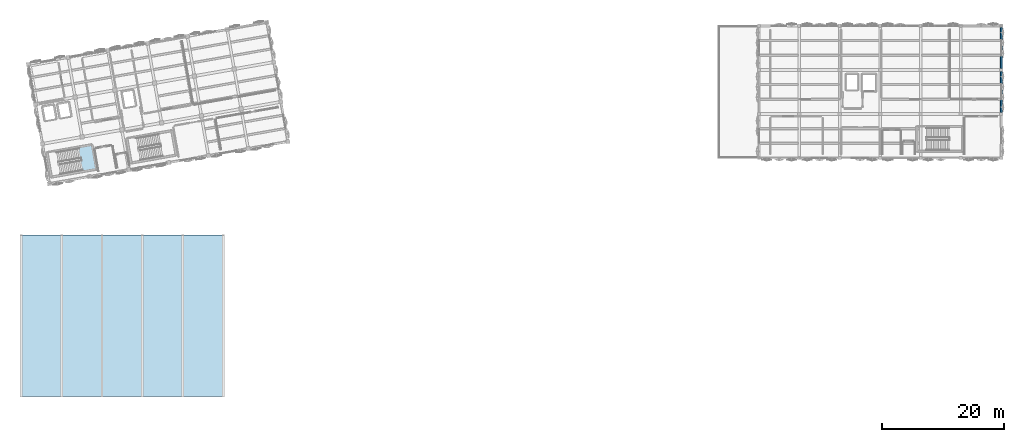
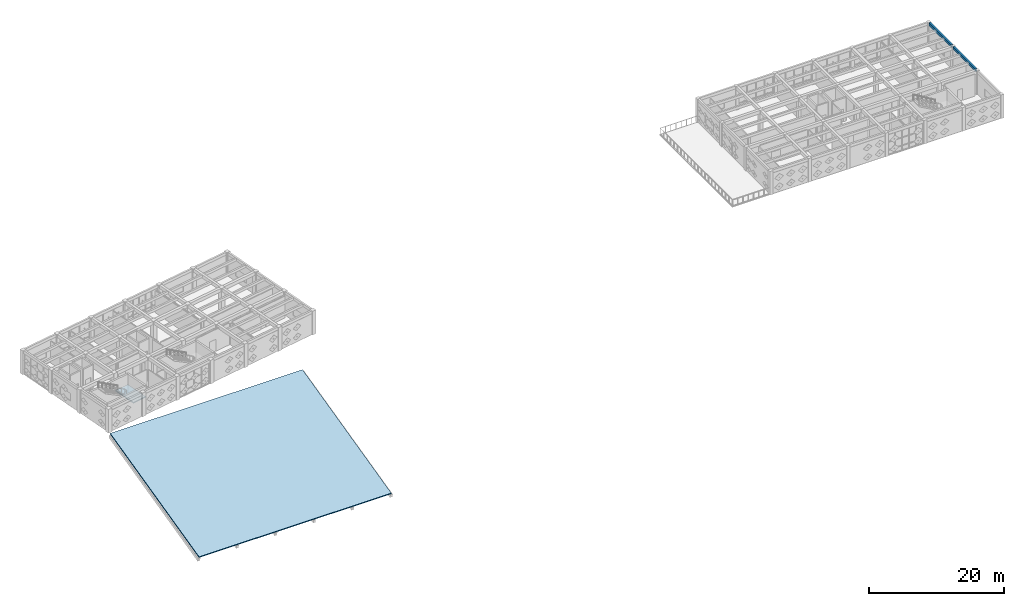
# One storey, part 22 of 39: 2 beams, 2 slabs, 1 element without a shape of its own.
"""IFC4 building model written with IfcOpenShell, lengths in metres."""

from ifc_helpers import new_model, si_unit, direction, frame, origin, origin_2d, place, context, subcontext, project, spatial, polyline, rectangle, outline, extrude, material, layer, layer_set, material_profile, profile_set, type_object, element, aggregate, save


model = new_model("IFC4")

# Units and contexts
model_context = context("Model", 3, precision=1e-05, world=origin(), true_north=direction((0.0, 1.0)))
body_context = subcontext(model_context, "Body", "Model", "MODEL_VIEW")
ifc_project = project(units=[si_unit("LENGTHUNIT", "METRE"), si_unit("AREAUNIT", "SQUARE_METRE"), si_unit("VOLUMEUNIT", "CUBIC_METRE"), si_unit("PLANEANGLEUNIT", "RADIAN"), si_unit("MASSUNIT", "GRAM", prefix="KILO")], contexts=[model_context])

# Site, building, storey
site_placement = place(None, origin())
site = spatial("IfcSite", under=ifc_project, at=site_placement, CompositionType="ELEMENT")
building_placement = place(site_placement, origin())
building = spatial("IfcBuilding", under=site, at=building_placement, Name="Kharisveld Research Institute", CompositionType="ELEMENT")
storey_placement = place(building_placement, frame((0.0, 0.0, 23.10009765625)))
storey = spatial("IfcBuildingStorey", under=building, at=storey_placement, Name="L05", CompositionType="ELEMENT", Elevation=23.10009765625)

# Beams
ifc_material_1 = material(Name="Concrete C40/50", Category="concrete")
ifc_material_profile = material_profile(ifc_material_1, rectangle(XDim=0.300048828125, YDim=0.5, at=origin_2d()))
ifc_profile_set = profile_set([ifc_material_profile], Name="Concrete C40/50")
beam_type = type_object("IfcBeamType", Name="SP_RC_300x500", PredefinedType="SPANDREL", material=ifc_profile_set)
for number, where, z_axis, x_axis, name in (
    (1, (160.800048828125, 46.675048828125, 4.039794921875), (0.0, 1.0, 0.0), (-1.0, 0.0, 0.0), "BM:V2:L05:V7_1"),
    (2, (160.800048828125, 53.875, 4.039794921875), (0.0, 1.0, 0.0), (-1.0, 0.0, 0.0), "BM:V2:L05:V7_2"),
):
    element("IfcBeam", number, at=place(storey_placement, frame(where, z_axis=z_axis, x_axis=x_axis)), inside=storey, type_object=beam_type, Name=name, PredefinedType="SPANDREL", context=body_context, shape_type="SweptSolid", body=[
        extrude(rectangle(XDim=0.300048828125, YDim=0.5, at=origin_2d()), origin(), (0.0, 0.0, 1.0), 6.64990234375),
    ])

# Stair, slab
ifc_material_2 = material(Name="Concrete C40/50", Category="concrete")
stair_type = type_object("IfcStairType", Name="ST_EXIT_170", PredefinedType="TWO_STRAIGHT_RUN_STAIR", material=ifc_material_2)
stair_placement = place(storey_placement, origin())
stair = element("IfcStair", 3, at=stair_placement, inside=storey, type_object=stair_type, Name="STR:ST1:L05", PredefinedType="TWO_STRAIGHT_RUN_STAIR")
ifc_material_3 = material(Name="Concrete C40/50", Category="concrete")
ifc_layer_1 = layer(ifc_material_3, 0.179931640625)
ifc_layer_set_1 = layer_set([ifc_layer_1], Name="SL_LND_180")
slab_type_1 = type_object("IfcSlabType", Name="SL_LND_180", PredefinedType="LANDING", material=ifc_layer_set_1)
slab_1_placement = place(storey_placement, frame((0.0, 0.0, 2.06982421875)))
slab_1 = element("IfcSlab", 4, at=slab_1_placement, type_object=slab_type_1, Name="ST-01 landing 1", PredefinedType="LANDING", context=body_context, shape_type="SweptSolid", body=[
    extrude(outline(polyline([(10.54150390625, 36.936767578125), (12.909912109375, 37.3544921875), (12.194580078125, 41.411865234375), (9.826171875, 40.994140625), (10.54150390625, 36.936767578125)])), origin(), (0.0, 0.0, 1.0), 0.18017578125),
])
aggregate(stair, [slab_1])

# Slab
ifc_material_4 = material(Name="Concrete C40/50", Category="concrete")
ifc_layer_2 = layer(ifc_material_4, 0.195068359375)
ifc_layer_set_2 = layer_set([ifc_layer_2], Name="SL_ROOF_195")
slab_type_2 = type_object("IfcSlabType", Name="SL_ROOF_195", PredefinedType="ROOF", material=ifc_layer_set_2)
slab_2_placement = place(storey_placement, frame((0.60009765625, 0.199951171875, 0.0), z_axis=(0.0, -0.235595395516, 0.971851228127), x_axis=(1.0, 0.0, 0.0)))
element("IfcSlab", 5, at=slab_2_placement, inside=storey, type_object=slab_type_2, Name="SLAB:V3:L05:ROOF_PITCH", PredefinedType="ROOF", context=body_context, shape_type="SweptSolid", body=[
    extrude(outline(polyline([(0.0, 0.0), (33.0, 0.0), (33.0, 27.164802307508044), (0.0, 27.164802307508044), (0.0, 0.0)])), origin(), (0.0, 0.0, -1.0), 0.195068359375),
])

save(model, "model.ifc")
